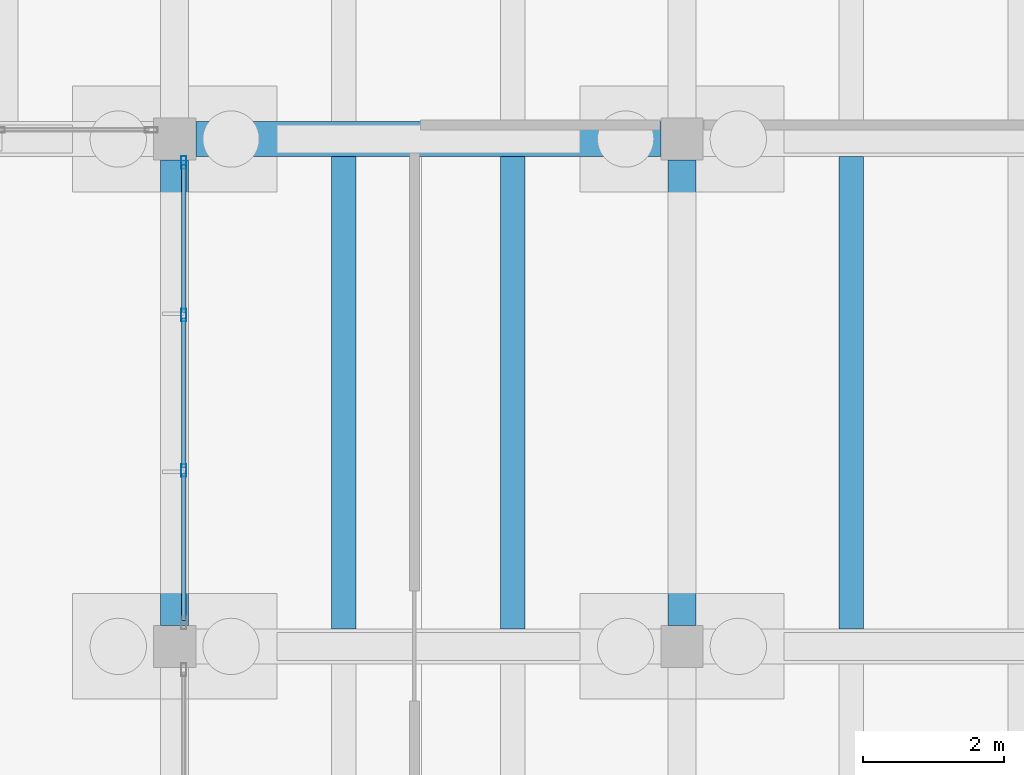
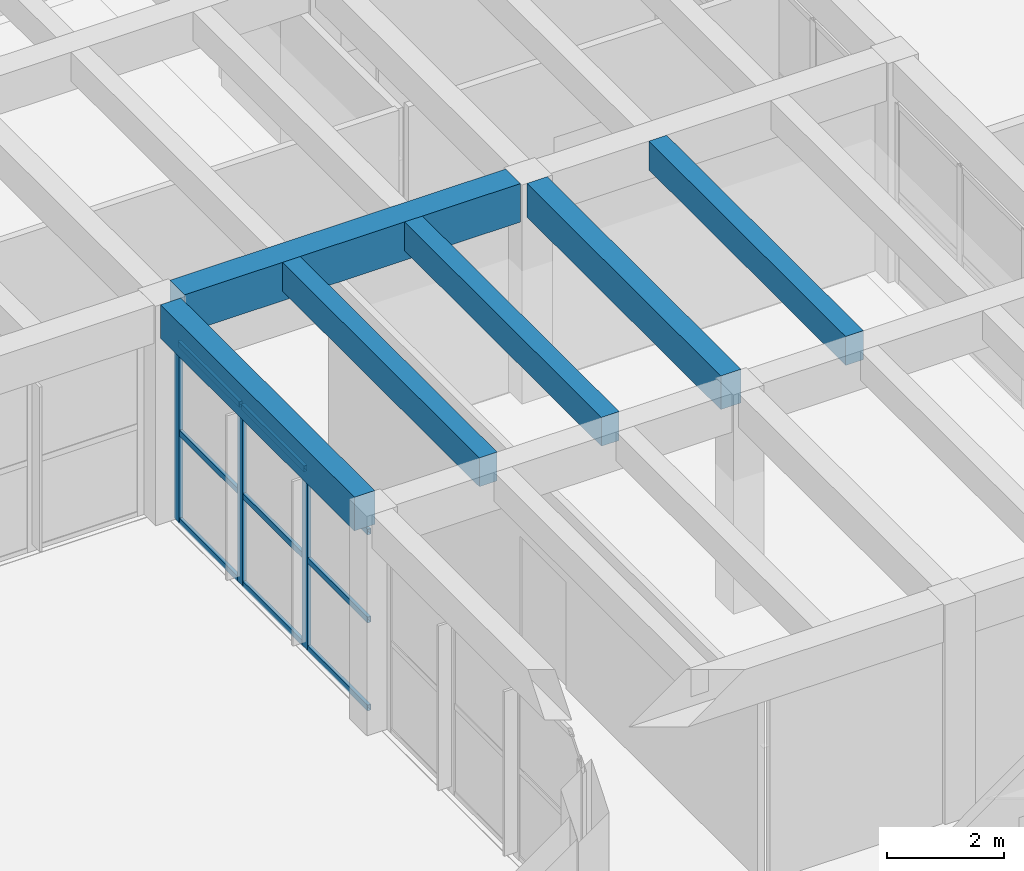
# One storey, part 48 of 155: 12 members, 6 beams, 1 element without a shape of its own.
"""IFC4 building model written with IfcOpenShell, lengths in metres."""

from ifc_helpers import new_model, si_unit, direction, frame, origin, origin_2d, place, context, subcontext, project, spatial, rectangle, hollow_rectangle, extrude, material, material_profile, profile_set, type_object, element, aggregate, save


model = new_model("IFC4")

# Units and contexts
model_context = context("Model", 3, precision=1e-05, world=origin(), true_north=direction((0.0, 1.0)))
body_context = subcontext(model_context, "Body", "Model", "MODEL_VIEW")
ifc_project = project(units=[si_unit("LENGTHUNIT", "METRE"), si_unit("AREAUNIT", "SQUARE_METRE"), si_unit("VOLUMEUNIT", "CUBIC_METRE"), si_unit("PLANEANGLEUNIT", "RADIAN"), si_unit("MASSUNIT", "GRAM", prefix="KILO")], contexts=[model_context])

# Site, building, storey
site_placement = place(None, origin())
site = spatial("IfcSite", under=ifc_project, at=site_placement, CompositionType="ELEMENT")
building_placement = place(site_placement, origin())
building = spatial("IfcBuilding", under=site, at=building_placement, Name="Bramvelor Terrace Health Centre", CompositionType="ELEMENT")
storey_placement = place(building_placement, origin())
storey = spatial("IfcBuildingStorey", under=building, at=storey_placement, Name="L01", CompositionType="ELEMENT", Elevation=0.0)

# Beams
ifc_material_1 = material(Name="Concrete C40/50", Category="concrete")
ifc_material_profile_1 = material_profile(ifc_material_1, rectangle(XDim=0.39990234375, YDim=0.699951171875, at=origin_2d()), Name="RC 400x700")
ifc_profile_set_1 = profile_set([ifc_material_profile_1], Name="Concrete C40/50")
beam_type_1 = type_object("IfcBeamType", Name="BM-RC-G700", PredefinedType="BEAM", material=ifc_profile_set_1)
for number, where, z_axis, x_axis, name in (
    (1, (79.199951171875, 57.89990234375, 4.2099609375), (0.0, 1.0, 0.0), (-1.0, 0.0, 0.0), "L01 Floor Girder"),
    (2, (86.39990234375, 57.89990234375, 4.2099609375), (0.0, 1.0, 0.0), (-1.0, 0.0, 0.0), "L01 Floor Girder"),
):
    element("IfcBeam", number, at=place(storey_placement, frame(where, z_axis=z_axis, x_axis=x_axis)), inside=storey, type_object=beam_type_1, Name=name, PredefinedType="BEAM", context=body_context, shape_type="SweptSolid", body=[
        extrude(rectangle(XDim=0.39990234375, YDim=0.699951171875, at=origin_2d()), origin(), (0.0, 0.0, 1.0), 6.60009765625),
    ])
ifc_material_2 = material(Name="Concrete C40/50", Category="concrete")
ifc_material_profile_2 = material_profile(ifc_material_2, rectangle(XDim=0.5, YDim=0.800048828125, at=origin_2d()), Name="RC 500x800")
ifc_profile_set_2 = profile_set([ifc_material_profile_2], Name="Concrete C40/50")
beam_type_2 = type_object("IfcBeamType", Name="BM-RC-G800", PredefinedType="BEAM", material=ifc_profile_set_2)
beam_placement = place(storey_placement, frame((79.5, 64.800048828125, 4.159912109375), z_axis=(1.0, 0.0, 0.0), x_axis=(0.0, 1.0, 0.0)))
element("IfcBeam", 3, at=beam_placement, inside=storey, type_object=beam_type_2, Name="L01 Floor Girder", PredefinedType="BEAM", context=body_context, shape_type="SweptSolid", body=[
    extrude(rectangle(XDim=0.5, YDim=0.800048828125, at=origin_2d()), origin(), (0.0, 0.0, 1.0), 6.60009765625),
])
ifc_material_3 = material(Name="Concrete C40/50", Category="concrete")
ifc_material_profile_3 = material_profile(ifc_material_3, rectangle(XDim=0.35009765625, YDim=0.60009765625, at=origin_2d()), Name="RC 350x600")
ifc_profile_set_3 = profile_set([ifc_material_profile_3], Name="Concrete C40/50")
beam_type_3 = type_object("IfcBeamType", Name="BM-RC-J600", PredefinedType="JOIST", material=ifc_profile_set_3)
for number, where, z_axis, x_axis, name in (
    (4, (81.60009765625, 57.85009765625, 4.260009765625), (0.0, 1.0, 0.0), (-1.0, 0.0, 0.0), "L01 Secondary Floor Joist"),
    (5, (84.0, 57.85009765625, 4.260009765625), (0.0, 1.0, 0.0), (-1.0, 0.0, 0.0), "L01 Secondary Floor Joist"),
    (6, (88.800048828125, 57.85009765625, 4.260009765625), (0.0, 1.0, 0.0), (-1.0, 0.0, 0.0), "L01 Secondary Floor Joist"),
):
    element("IfcBeam", number, at=place(storey_placement, frame(where, z_axis=z_axis, x_axis=x_axis)), inside=storey, type_object=beam_type_3, Name=name, PredefinedType="JOIST", context=body_context, shape_type="SweptSolid", body=[
        extrude(rectangle(XDim=0.35009765625, YDim=0.60009765625, at=origin_2d()), origin(), (0.0, 0.0, 1.0), 6.699951171875),
    ])

# Curtain wall, members
ifc_material_4 = material(Name="Anodized aluminium and double low-E glass", Category="aluminium")
curtain_wall_type = type_object("IfcCurtainWallType", Name="CW-SYS-02", PredefinedType="NOTDEFINED", material=ifc_material_4)
curtain_wall_placement = place(storey_placement, origin())
curtain_wall = element("IfcCurtainWall", 7, at=curtain_wall_placement, inside=storey, type_object=curtain_wall_type, Name="L01 Unitized Curtain Wall 63", PredefinedType="NOTDEFINED")
ifc_material_5 = material(Name="Anodized aluminium 6063-T6", Category="aluminium")
ifc_material_profile_4 = material_profile(ifc_material_5, hollow_rectangle(XDim=0.074951171875, YDim=0.179931640625, WallThickness=0.00341796875, at=origin_2d()), Name="ALU-MUL 75x180x3.5")
ifc_profile_set_4 = profile_set([ifc_material_profile_4], Name="Anodized aluminium 6063-T6")
member_type_1 = type_object("IfcMemberType", Name="CW-MUL-65x180", PredefinedType="MULLION", material=ifc_profile_set_4)
member_1_placement = place(storey_placement, frame((79.330078125, 60.098388671875, 0.0), z_axis=(0.0, 0.0, 1.0), x_axis=(-1.0, 0.0, 0.0)))
member_1 = element("IfcMember", 8, at=member_1_placement, type_object=member_type_1, Name="CW-02 mullion 2", PredefinedType="MULLION", context=body_context, shape_type="SweptSolid", body=[
    extrude(hollow_rectangle(XDim=0.074951171875, YDim=0.179931640625, WallThickness=0.00341796875, at=origin_2d()), origin(), (0.0, 0.0, 1.0), 3.719970703125),
])
member_2_placement = place(storey_placement, frame((79.330078125, 62.3017578125, 0.0), z_axis=(0.0, 0.0, 1.0), x_axis=(-1.0, 0.0, 0.0)))
member_2 = element("IfcMember", 9, at=member_2_placement, type_object=member_type_1, Name="CW-02 mullion 3", PredefinedType="MULLION", context=body_context, shape_type="SweptSolid", body=[
    extrude(hollow_rectangle(XDim=0.074951171875, YDim=0.179931640625, WallThickness=0.00341796875, at=origin_2d()), origin(), (0.0, 0.0, 1.0), 3.719970703125),
])
member_3_placement = place(storey_placement, frame((79.330078125, 64.467529296875, 0.0), z_axis=(0.0, 0.0, 1.0), x_axis=(-1.0, 0.0, 0.0)))
member_3 = element("IfcMember", 10, at=member_3_placement, type_object=member_type_1, Name="CW-02 mullion 4", PredefinedType="MULLION", context=body_context, shape_type="SweptSolid", body=[
    extrude(hollow_rectangle(XDim=0.074951171875, YDim=0.179931640625, WallThickness=0.00341796875, at=origin_2d()), origin(), (0.0, 0.0, 1.0), 3.719970703125),
])
ifc_material_6 = material(Name="Anodized aluminium 6063-T6", Category="aluminium")
ifc_material_profile_5 = material_profile(ifc_material_6, hollow_rectangle(XDim=0.06494140625, YDim=0.1201171875, WallThickness=0.0029296875, at=origin_2d()), Name="ALU-TRN 65x120x3.0")
ifc_profile_set_5 = profile_set([ifc_material_profile_5], Name="Anodized aluminium 6063-T6")
member_type_2 = type_object("IfcMemberType", Name="CW-TRN-65x150", PredefinedType="USERDEFINED", material=ifc_profile_set_5)
member_4_placement = place(storey_placement, frame((79.330078125, 57.969970703125, 0.032470703125), z_axis=(0.0, 1.0, 0.0), x_axis=(-1.0, 0.0, 0.0)))
member_4 = element("IfcMember", 11, at=member_4_placement, type_object=member_type_2, Name="CW-02 transom 1.1", ObjectType="TRANSOM", PredefinedType="USERDEFINED", context=body_context, shape_type="SweptSolid", body=[
    extrude(hollow_rectangle(XDim=0.06494140625, YDim=0.1201171875, WallThickness=0.0029296875, at=origin_2d()), origin(), (0.0, 0.0, 1.0), 2.0908203125),
])
member_5_placement = place(storey_placement, frame((79.330078125, 57.969970703125, 1.860107421875), z_axis=(0.0, 1.0, 0.0), x_axis=(-1.0, 0.0, 0.0)))
member_5 = element("IfcMember", 12, at=member_5_placement, type_object=member_type_2, Name="CW-02 transom 1.2", ObjectType="TRANSOM", PredefinedType="USERDEFINED", context=body_context, shape_type="SweptSolid", body=[
    extrude(hollow_rectangle(XDim=0.06494140625, YDim=0.1201171875, WallThickness=0.0029296875, at=origin_2d()), origin(), (0.0, 0.0, 1.0), 2.0908203125),
])
member_6_placement = place(storey_placement, frame((79.330078125, 57.969970703125, 3.6875), z_axis=(0.0, 1.0, 0.0), x_axis=(-1.0, 0.0, 0.0)))
member_6 = element("IfcMember", 13, at=member_6_placement, type_object=member_type_2, Name="CW-02 transom 1.3", ObjectType="TRANSOM", PredefinedType="USERDEFINED", context=body_context, shape_type="SweptSolid", body=[
    extrude(hollow_rectangle(XDim=0.06494140625, YDim=0.1201171875, WallThickness=0.0029296875, at=origin_2d()), origin(), (0.0, 0.0, 1.0), 2.0908203125),
])
member_7_placement = place(storey_placement, frame((79.330078125, 60.1357421875, 0.032470703125), z_axis=(0.0, 1.0, 0.0), x_axis=(-1.0, 0.0, 0.0)))
member_7 = element("IfcMember", 14, at=member_7_placement, type_object=member_type_2, Name="CW-02 transom 2.1", ObjectType="TRANSOM", PredefinedType="USERDEFINED", context=body_context, shape_type="SweptSolid", body=[
    extrude(hollow_rectangle(XDim=0.06494140625, YDim=0.1201171875, WallThickness=0.0029296875, at=origin_2d()), origin(), (0.0, 0.0, 1.0), 2.12841796875),
])
member_8_placement = place(storey_placement, frame((79.330078125, 60.1357421875, 1.860107421875), z_axis=(0.0, 1.0, 0.0), x_axis=(-1.0, 0.0, 0.0)))
member_8 = element("IfcMember", 15, at=member_8_placement, type_object=member_type_2, Name="CW-02 transom 2.2", ObjectType="TRANSOM", PredefinedType="USERDEFINED", context=body_context, shape_type="SweptSolid", body=[
    extrude(hollow_rectangle(XDim=0.06494140625, YDim=0.1201171875, WallThickness=0.0029296875, at=origin_2d()), origin(), (0.0, 0.0, 1.0), 2.12841796875),
])
member_9_placement = place(storey_placement, frame((79.330078125, 60.1357421875, 3.6875), z_axis=(0.0, 1.0, 0.0), x_axis=(-1.0, 0.0, 0.0)))
member_9 = element("IfcMember", 16, at=member_9_placement, type_object=member_type_2, Name="CW-02 transom 2.3", ObjectType="TRANSOM", PredefinedType="USERDEFINED", context=body_context, shape_type="SweptSolid", body=[
    extrude(hollow_rectangle(XDim=0.06494140625, YDim=0.1201171875, WallThickness=0.0029296875, at=origin_2d()), origin(), (0.0, 0.0, 1.0), 2.12841796875),
])
member_10_placement = place(storey_placement, frame((79.330078125, 62.339111328125, 0.032470703125), z_axis=(0.0, 1.0, 0.0), x_axis=(-1.0, 0.0, 0.0)))
member_10 = element("IfcMember", 17, at=member_10_placement, type_object=member_type_2, Name="CW-02 transom 3.1", ObjectType="TRANSOM", PredefinedType="USERDEFINED", context=body_context, shape_type="SweptSolid", body=[
    extrude(hollow_rectangle(XDim=0.06494140625, YDim=0.1201171875, WallThickness=0.0029296875, at=origin_2d()), origin(), (0.0, 0.0, 1.0), 2.0908203125),
])
member_11_placement = place(storey_placement, frame((79.330078125, 62.339111328125, 1.860107421875), z_axis=(0.0, 1.0, 0.0), x_axis=(-1.0, 0.0, 0.0)))
member_11 = element("IfcMember", 18, at=member_11_placement, type_object=member_type_2, Name="CW-02 transom 3.2", ObjectType="TRANSOM", PredefinedType="USERDEFINED", context=body_context, shape_type="SweptSolid", body=[
    extrude(hollow_rectangle(XDim=0.06494140625, YDim=0.1201171875, WallThickness=0.0029296875, at=origin_2d()), origin(), (0.0, 0.0, 1.0), 2.0908203125),
])
member_12_placement = place(storey_placement, frame((79.330078125, 62.339111328125, 3.6875), z_axis=(0.0, 1.0, 0.0), x_axis=(-1.0, 0.0, 0.0)))
member_12 = element("IfcMember", 19, at=member_12_placement, type_object=member_type_2, Name="CW-02 transom 3.3", ObjectType="TRANSOM", PredefinedType="USERDEFINED", context=body_context, shape_type="SweptSolid", body=[
    extrude(hollow_rectangle(XDim=0.06494140625, YDim=0.1201171875, WallThickness=0.0029296875, at=origin_2d()), origin(), (0.0, 0.0, 1.0), 2.0908203125),
])
aggregate(curtain_wall, [member_1, member_2, member_3, member_4, member_5, member_6, member_7, member_8, member_9, member_10, member_11, member_12])

save(model, "model.ifc")
